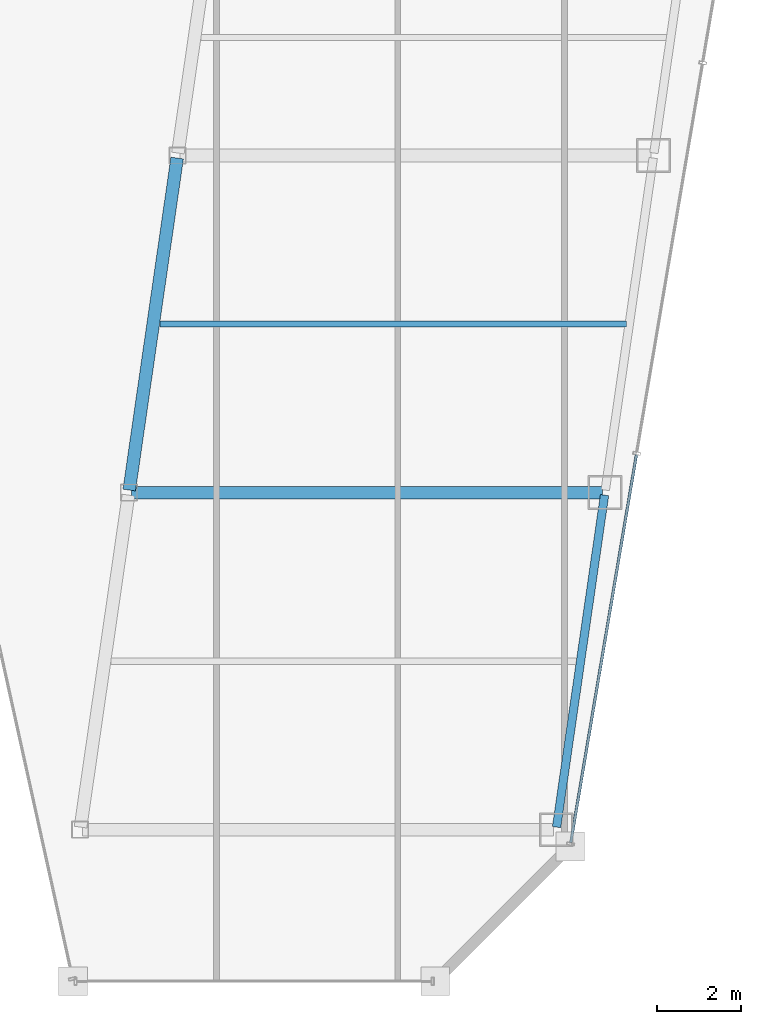
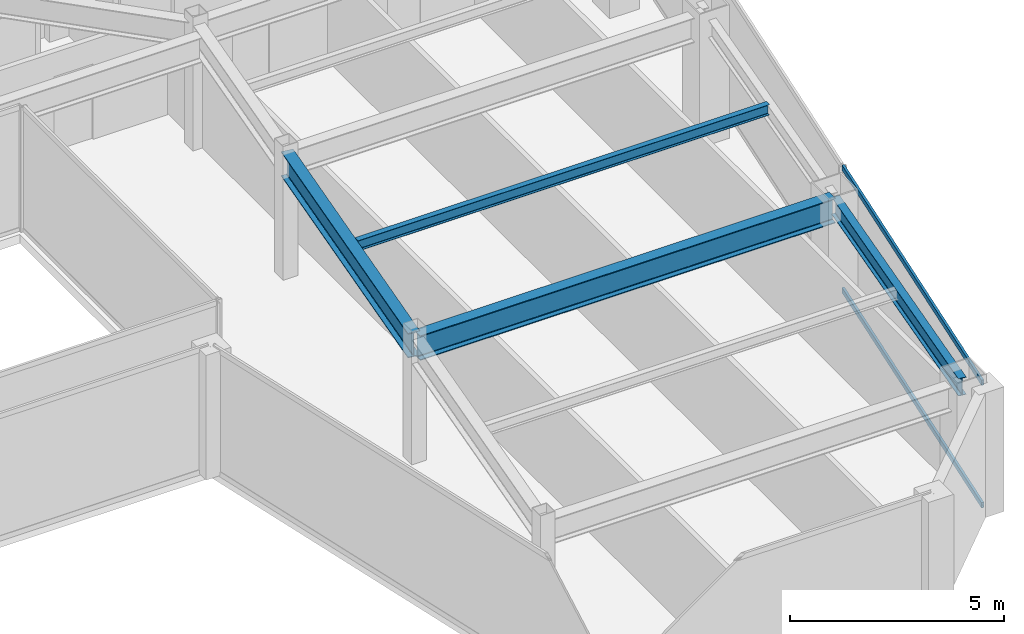
# One storey, part 19 of 36: 4 beams, 2 members, 1 element without a shape of its own.
"""IFC4 building model written with IfcOpenShell, lengths in metres."""

from ifc_helpers import new_model, si_unit, direction, frame, origin, origin_2d, place, context, subcontext, project, spatial, hollow_rectangle, i_section, extrude, material, material_profile, profile_set, type_object, element, aggregate, save


model = new_model("IFC4")

# Units and contexts
model_context = context("Model", 3, precision=1e-05, world=origin(), true_north=direction((0.0, 1.0)))
body_context = subcontext(model_context, "Body", "Model", "MODEL_VIEW")
ifc_project = project(units=[si_unit("LENGTHUNIT", "METRE"), si_unit("AREAUNIT", "SQUARE_METRE"), si_unit("VOLUMEUNIT", "CUBIC_METRE"), si_unit("PLANEANGLEUNIT", "RADIAN"), si_unit("MASSUNIT", "GRAM", prefix="KILO")], contexts=[model_context])

# Site, building, storey
site_placement = place(None, origin())
site = spatial("IfcSite", under=ifc_project, at=site_placement, CompositionType="ELEMENT")
building_placement = place(site_placement, origin())
building = spatial("IfcBuilding", under=site, at=building_placement, Name="Saevonmaru Cultural Tower", CompositionType="ELEMENT")
storey_placement = place(building_placement, frame((0.0, 0.0, 209.39990234375)))
storey = spatial("IfcBuildingStorey", under=building, at=storey_placement, Name="L48", CompositionType="ELEMENT", Elevation=209.39990234375)

# Beams
ifc_material_1 = material(Name="Steel SM355", Category="steel")
ifc_material_profile_1 = material_profile(ifc_material_1, i_section(OverallWidth=0.300048828125, OverallDepth=0.699951171875, WebThickness=0.012939453125, FlangeThickness=0.02392578125, FilletRadius=0.02587890625, at=origin_2d()), Name="H-700x300x13x24")
ifc_profile_set_1 = profile_set([ifc_material_profile_1], Name="Steel SM355")
beam_type_1 = type_object("IfcBeamType", Name="BM-G-H700", PredefinedType="BEAM", material=ifc_profile_set_1)
beam_1_placement = place(storey_placement, frame((39.236572265625, 24.059326171875, 3.2001953125), z_axis=(0.142902032203, 0.989736838353, 0.0), x_axis=(-0.989736838353, 0.142902032203, 0.0)))
element("IfcBeam", 1, at=beam_1_placement, inside=storey, type_object=beam_type_1, Name="L48 East Atrium Girder 2", PredefinedType="BEAM", context=body_context, shape_type="SweptSolid", body=[
    extrude(i_section(OverallWidth=0.300048828125, OverallDepth=0.699951171875, WebThickness=0.012939453125, FlangeThickness=0.02392578125, FilletRadius=0.02587890625, at=origin_2d()), origin(), (0.0, 0.0, 1.0), 7.963134765625),
])
beam_2_placement = place(storey_placement, frame((39.2880859375, 24.0, 3.2001953125), z_axis=(1.0, 0.0, 0.0), x_axis=(0.0, 1.0, 0.0)))
element("IfcBeam", 2, at=beam_2_placement, inside=storey, type_object=beam_type_1, Name="L48 East Wing Transverse Girder 2", PredefinedType="BEAM", context=body_context, shape_type="SweptSolid", body=[
    extrude(i_section(OverallWidth=0.300048828125, OverallDepth=0.699951171875, WebThickness=0.012939453125, FlangeThickness=0.02392578125, FilletRadius=0.02587890625, at=origin_2d()), origin(), (0.0, 0.0, 1.0), 11.179931640625),
])
ifc_material_profile_2 = material_profile(ifc_material_1, i_section(OverallWidth=0.14990234375, OverallDepth=0.300048828125, WebThickness=0.006591796875, FlangeThickness=0.009033203125, FilletRadius=0.012939453125, at=origin_2d()), Name="H-300x150x6.5x9")
ifc_profile_set_2 = profile_set([ifc_material_profile_2], Name="Steel SM355")
beam_type_2 = type_object("IfcBeamType", Name="BM-J-H300", PredefinedType="JOIST", material=ifc_profile_set_2)
beam_3_placement = place(storey_placement, frame((39.96337890625, 28.0, 3.400146484375), z_axis=(1.0, 0.0, 0.0), x_axis=(0.0, 1.0, 0.0)))
element("IfcBeam", 3, at=beam_3_placement, inside=storey, type_object=beam_type_2, Name="L48 East Wing Floor Joist 2", PredefinedType="JOIST", context=body_context, shape_type="SweptSolid", body=[
    extrude(i_section(OverallWidth=0.14990234375, OverallDepth=0.300048828125, WebThickness=0.006591796875, FlangeThickness=0.009033203125, FilletRadius=0.012939453125, at=origin_2d()), origin(), (0.0, 0.0, 1.0), 11.08203125),
])
ifc_material_profile_3 = material_profile(ifc_material_1, i_section(OverallWidth=0.199951171875, OverallDepth=0.5, WebThickness=0.010009765625, FlangeThickness=0.01611328125, FilletRadius=0.02001953125, at=origin_2d()), Name="H-500x200x10x16")
ifc_profile_set_3 = profile_set([ifc_material_profile_3], Name="Steel SM355")
beam_type_3 = type_object("IfcBeamType", Name="BM-SP-H500", PredefinedType="SPANDREL", material=ifc_profile_set_3)
beam_4_placement = place(storey_placement, frame((49.380615234375, 16.059326171875, 3.300048828125), z_axis=(0.142992129437, 0.989723825579, 0.0), x_axis=(-0.989723825579, 0.142992129437, 0.0)))
element("IfcBeam", 4, at=beam_4_placement, inside=storey, type_object=beam_type_3, Name="L48 East Splayed Spandrel 1", PredefinedType="SPANDREL", context=body_context, shape_type="SweptSolid", body=[
    extrude(i_section(OverallWidth=0.199951171875, OverallDepth=0.5, WebThickness=0.010009765625, FlangeThickness=0.01611328125, FilletRadius=0.02001953125, at=origin_2d()), origin(), (0.0, 0.0, 1.0), 7.963134765625),
])

# Curtain wall, members
ifc_material_2 = material(Name="Satin Bronze Anodised Aluminium", Category="aluminium")
curtain_wall_type = type_object("IfcCurtainWallType", Name="CW-TYP-B", PredefinedType="NOTDEFINED", material=ifc_material_2)
curtain_wall_placement = place(storey_placement, origin())
curtain_wall = element("IfcCurtainWall", 5, at=curtain_wall_placement, inside=storey, type_object=curtain_wall_type, Name="L48 Unitised Curtain Wall E8", PredefinedType="NOTDEFINED")
ifc_material_profile_4 = material_profile(ifc_material_2, hollow_rectangle(XDim=0.06494140625, YDim=0.14990234375, WallThickness=0.00390625, at=origin_2d()), Name="ALU-TRAN-150x65x4")
ifc_profile_set_4 = profile_set([ifc_material_profile_4], Name="Satin Bronze Anodised Aluminium")
member_type = type_object("IfcMemberType", Name="TR-CW-150x65", PredefinedType="USERDEFINED", material=ifc_profile_set_4)
member_1_placement = place(storey_placement, frame((49.717529296875, 15.691162109375, 0.03271484375), z_axis=(0.166921263871, 0.985970228591, 0.0), x_axis=(-0.985970228591, 0.166921263871, 0.0)))
member_1 = element("IfcMember", 6, at=member_1_placement, type_object=member_type, Name="CW-TW-L48-E8 transom 1.1", ObjectType="TRANSOM", PredefinedType="USERDEFINED", context=body_context, shape_type="SweptSolid", body=[
    extrude(hollow_rectangle(XDim=0.06494140625, YDim=0.14990234375, WallThickness=0.00390625, at=origin_2d()), origin(), (0.0, 0.0, 1.0), 9.33740234375),
])
member_2_placement = place(storey_placement, frame((49.717529296875, 15.691162109375, 3.517578125), z_axis=(0.166921263871, 0.985970228591, 0.0), x_axis=(-0.985970228591, 0.166921263871, 0.0)))
member_2 = element("IfcMember", 7, at=member_2_placement, type_object=member_type, Name="CW-TW-L48-E8 transom 1.2", ObjectType="TRANSOM", PredefinedType="USERDEFINED", context=body_context, shape_type="SweptSolid", body=[
    extrude(hollow_rectangle(XDim=0.06494140625, YDim=0.14990234375, WallThickness=0.00390625, at=origin_2d()), origin(), (0.0, 0.0, 1.0), 9.33740234375),
])
aggregate(curtain_wall, [member_1, member_2])

save(model, "model.ifc")
